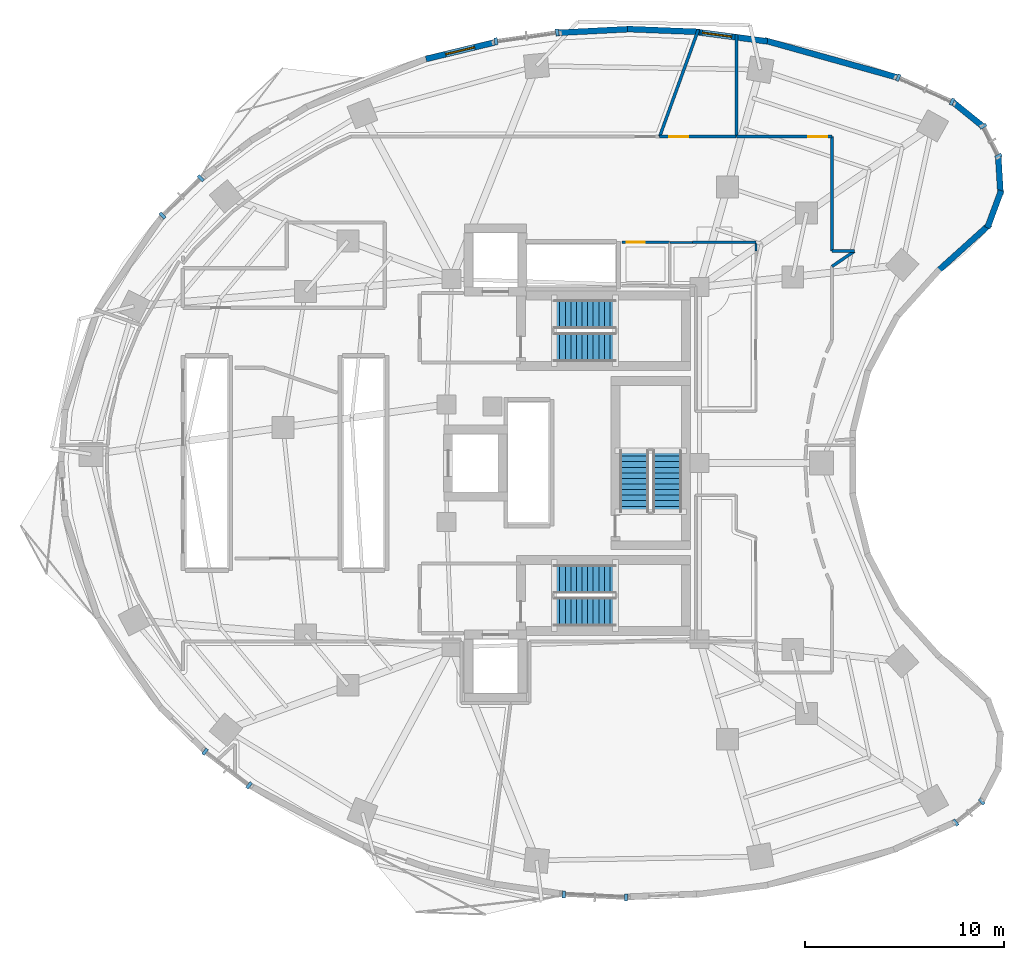
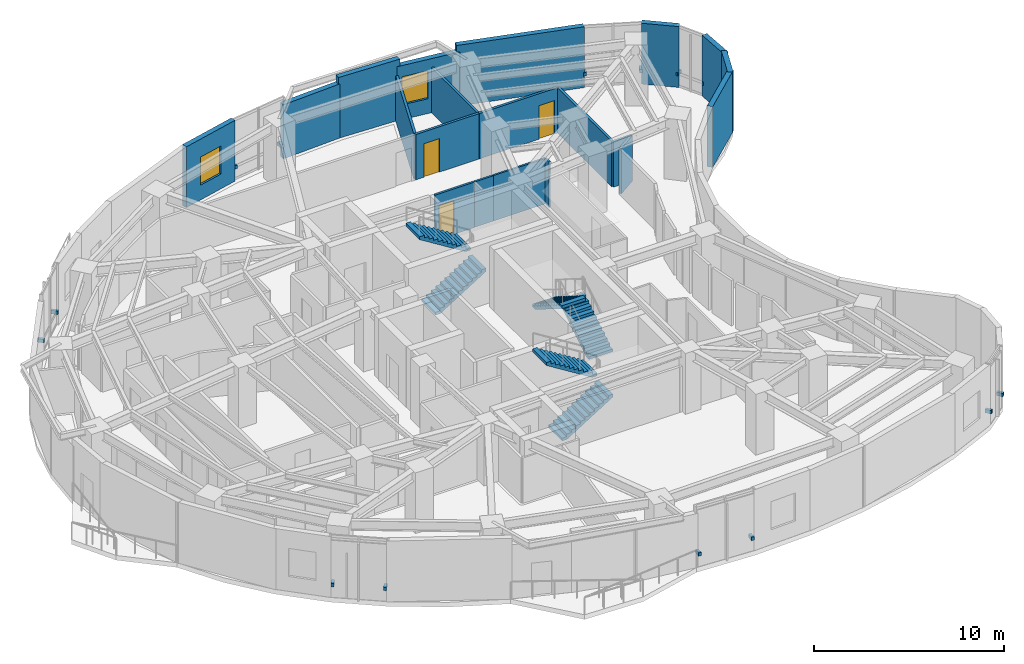
# One storey, part 10 of 13: 20 walls, 14 discrete accessories, 6 stair flights, 3 doors, 2 windows, 5 openings, 3 elements without a shape of their own.
"""IFC4 building model written with IfcOpenShell, lengths in metres."""

from ifc_helpers import new_model, si_unit, direction, frame, frame_2d, origin, origin_2d, place, context, subcontext, project, spatial, polyline, rectangle, outline, extrude, material, layer, layer_set, type_object, element, fill, aggregate, save


model = new_model("IFC4")

# Units and contexts
model_context = context("Model", 3, precision=1e-05, world=origin(), true_north=direction((0.0, 1.0)))
body_context = subcontext(model_context, "Body", "Model", "MODEL_VIEW")
ifc_project = project(units=[si_unit("LENGTHUNIT", "METRE"), si_unit("AREAUNIT", "SQUARE_METRE"), si_unit("VOLUMEUNIT", "CUBIC_METRE"), si_unit("PLANEANGLEUNIT", "RADIAN"), si_unit("MASSUNIT", "GRAM", prefix="KILO")], contexts=[model_context])

# Site, building, storey
site_placement = place(None, origin())
site = spatial("IfcSite", under=ifc_project, at=site_placement, CompositionType="ELEMENT")
building_placement = place(site_placement, origin())
building = spatial("IfcBuilding", under=site, at=building_placement, Name="Korentha Bioscience Tower", CompositionType="ELEMENT")
storey_placement = place(building_placement, frame((0.0, 0.0, 123.60009765625)))
storey = spatial("IfcBuildingStorey", under=building, at=storey_placement, Name="L28", CompositionType="ELEMENT", Elevation=123.60009765625)

# Wall, opening, door
ifc_material_1 = material(Name="Double-Stud Acoustic Gypsum", Category="gypsum")
ifc_layer_1 = layer(ifc_material_1, 0.14990234375, Name="Double-Stud Acoustic Gypsum")
ifc_layer_set_1 = layer_set([ifc_layer_1], Name="Double-Stud Acoustic Gypsum (IW-L150)")
wall_type_1 = type_object("IfcWallType", Name="Acoustic Laboratory Partition Wall 150", PredefinedType="PARTITIONING", material=ifc_layer_set_1)
wall_1_placement = place(storey_placement, frame((44.199951171875, 43.409912109375, 0.0), z_axis=(0.0, 0.0, 1.0), x_axis=(-1.0, 0.0, 0.0)))
wall_1 = element("IfcWall", 1, at=wall_1_placement, inside=storey, type_object=wall_type_1, Name="L28 Visiting Faculty Study Office 05 Entrance Wall", PredefinedType="PARTITIONING", context=body_context, shape_type="SweptSolid", body=[
    extrude(rectangle(XDim=4.7978515625, YDim=0.14990234375, at=frame_2d((2.39892578125, 0.0))), origin(), (0.0, 0.0, 1.0), 2.909912109375),
])
opening_1_placement = place(wall_1_placement, frame((0.239990234375, 0.0, 0.0)))
opening_1 = element("IfcOpeningElement", 2, at=opening_1_placement, cuts=wall_1, Name="Opening ID-10R", PredefinedType="OPENING", context=body_context, shape_type="SweptSolid", body=[
    extrude(rectangle(XDim=0.949951171875, YDim=2.14990234375, at=frame_2d((0.47509765625, 1.074951171875))), frame((0.0, 0.08984375, 0.0), z_axis=(0.0, -1.0, 0.0), x_axis=(1.0, 0.0, 0.0)), (0.0, 0.0, 1.0), 0.1796875),
])
ifc_material_2 = material(Name="Phenolic Laminate Timber Core", Category="wood")
door_type_1 = type_object("IfcDoorType", Name="Laboratory Single Leaf Door 950x2150 Right", OperationType="SINGLE_SWING_RIGHT", PredefinedType="DOOR", material=ifc_material_2)
door_1_placement = place(opening_1_placement, origin())
door_1 = element("IfcDoor", 3, at=door_1_placement, inside=storey, type_object=door_type_1, Name="L28 Visiting Faculty Study Office 05 Door", OperationType="SINGLE_SWING_RIGHT", OverallHeight=2.14990234375, OverallWidth=0.949951171875, PredefinedType="DOOR", context=body_context, shape_type="SweptSolid", body=[
    extrude(rectangle(XDim=0.949951171875, YDim=2.14990234375, at=frame_2d((0.47509765625, 1.074951171875))), frame((0.0, 0.02490234375, 0.0), z_axis=(0.0, -1.0, 0.0), x_axis=(1.0, 0.0, 0.0)), (0.0, 0.0, 1.0), 0.050048828125),
])
fill(opening_1, door_1)

wall_2_placement = place(storey_placement, frame((39.39208984375, 43.409912109375, 0.0), z_axis=(0.0, 0.0, 1.0), x_axis=(-1.0, 0.0, 0.0)))
wall_2 = element("IfcWall", 4, at=wall_2_placement, inside=storey, type_object=wall_type_1, Name="L28 Ethics and Biosafety Briefing Room 07 Entrance Wall", PredefinedType="PARTITIONING", context=body_context, shape_type="SweptSolid", body=[
    extrude(rectangle(XDim=3.841796875, YDim=0.14990234375, at=frame_2d((1.9208984375, 0.0))), origin(), (0.0, 0.0, 1.0), 2.909912109375),
])
opening_2_placement = place(wall_2_placement, frame((2.402099609375, 0.0, 0.0)))
opening_2 = element("IfcOpeningElement", 5, at=opening_2_placement, cuts=wall_2, Name="Opening ID-10R", PredefinedType="OPENING", context=body_context, shape_type="SweptSolid", body=[
    extrude(rectangle(XDim=0.949951171875, YDim=2.14990234375, at=frame_2d((0.47509765625, 1.074951171875))), frame((0.0, 0.08984375, 0.0), z_axis=(0.0, -1.0, 0.0), x_axis=(1.0, 0.0, 0.0)), (0.0, 0.0, 1.0), 0.1796875),
])
door_2_placement = place(opening_2_placement, origin())
door_2 = element("IfcDoor", 6, at=door_2_placement, inside=storey, type_object=door_type_1, Name="L28 Ethics and Biosafety Briefing Room 07 Door", OperationType="SINGLE_SWING_RIGHT", OverallHeight=2.14990234375, OverallWidth=0.949951171875, PredefinedType="DOOR", context=body_context, shape_type="SweptSolid", body=[
    extrude(rectangle(XDim=0.949951171875, YDim=2.14990234375, at=frame_2d((0.47509765625, 1.074951171875))), frame((0.0, 0.02490234375, 0.0), z_axis=(0.0, -1.0, 0.0), x_axis=(1.0, 0.0, 0.0)), (0.0, 0.0, 1.0), 0.050048828125),
])
fill(opening_2, door_2)

# Walls
wall_3_placement = place(storey_placement, frame((44.2099609375, 36.884033203125, 0.0), z_axis=(0.0, 0.0, 1.0), x_axis=(0.828042645571, 0.560665120295, 0.0)))
element("IfcWall", 7, at=wall_3_placement, inside=storey, type_object=wall_type_1, Name="L28 Interior Partition 054", PredefinedType="PARTITIONING", context=body_context, shape_type="SweptSolid", body=[
    extrude(rectangle(XDim=1.35693359375, YDim=0.14990234375, at=frame_2d((0.678466796875, 0.0))), origin(), (0.0, 0.0, 1.0), 2.909912109375),
])
wall_4_placement = place(storey_placement, frame((45.331298828125, 37.652099609375, 0.0), z_axis=(0.0, 0.0, 1.0), x_axis=(-1.0, 0.0, 0.0)))
element("IfcWall", 8, at=wall_4_placement, inside=storey, type_object=wall_type_1, Name="L28 Interior Partition 055", PredefinedType="PARTITIONING", context=body_context, shape_type="SweptSolid", body=[
    extrude(rectangle(XDim=1.121337890625, YDim=0.14990234375, at=frame_2d((0.560546875, 0.0))), origin(), (0.0, 0.0, 1.0), 2.909912109375),
])
wall_5_placement = place(storey_placement, frame((44.2099609375, 37.652099609375, 0.0), z_axis=(0.0, 0.0, 1.0), x_axis=(0.0, 1.0, 0.0)))
element("IfcWall", 9, at=wall_5_placement, inside=storey, type_object=wall_type_1, Name="L28 Interior Partition 056", PredefinedType="PARTITIONING", context=body_context, shape_type="SweptSolid", body=[
    extrude(rectangle(XDim=5.747802734375, YDim=0.14990234375, at=frame_2d((2.8740234375, 0.0))), origin(), (0.0, 0.0, 1.0), 2.909912109375),
])
wall_6_placement = place(storey_placement, frame((39.402099609375, 43.409912109375, 0.0), z_axis=(0.0, 0.0, 1.0), x_axis=(0.0, 1.0, 0.0)))
element("IfcWall", 10, at=wall_6_placement, inside=storey, type_object=wall_type_1, Name="L28 Interior Partition 057", PredefinedType="PARTITIONING", context=body_context, shape_type="SweptSolid", body=[
    extrude(rectangle(XDim=5.12548828125, YDim=0.14990234375, at=frame_2d((2.562744140625, 0.0))), origin(), (0.0, 0.0, 1.0), 2.909912109375),
])
wall_7_placement = place(storey_placement, frame((35.55029296875, 43.409912109375, 0.0), z_axis=(0.0, 0.0, 1.0), x_axis=(0.340351757169, 0.940298187487, 0.0)))
element("IfcWall", 11, at=wall_7_placement, inside=storey, type_object=wall_type_1, Name="L28 Interior Partition 067", PredefinedType="PARTITIONING", context=body_context, shape_type="SweptSolid", body=[
    extrude(rectangle(XDim=5.707763671875, YDim=0.14990234375, at=frame_2d((2.85400390625, 0.0))), origin(), (0.0, 0.0, 1.0), 2.909912109375),
])
ifc_material_3 = material(Name="Fire-Rated Framed Glass", Category="glass")
ifc_layer_2 = layer(ifc_material_3, 0.110107421875, Name="Fire-Rated Framed Glass")
ifc_layer_set_2 = layer_set([ifc_layer_2], Name="Fire-Rated Framed Glass (IW-G110)")
wall_type_2 = type_object("IfcWallType", Name="Demountable Glazed Office Partition 110", PredefinedType="MOVABLE", material=ifc_layer_set_2)
wall_8_placement = place(storey_placement, frame((36.06005859375, 38.090087890625, 0.0), z_axis=(0.0, 0.0, 1.0), x_axis=(1.0, 0.0, 0.0)))
element("IfcWall", 12, at=wall_8_placement, inside=storey, type_object=wall_type_2, Name="L28 Interior Partition 063", PredefinedType="MOVABLE", context=body_context, shape_type="SweptSolid", body=[
    extrude(rectangle(XDim=1.139892578125, YDim=0.110107421875, at=frame_2d((0.56982421875, 0.0))), origin(), (0.0, 0.0, 1.0), 2.909912109375),
])
wall_9_placement = place(storey_placement, frame((37.2099609375, 38.10009765625, 0.0), z_axis=(0.0, 0.0, 1.0), x_axis=(1.0, 0.0, 0.0)))
element("IfcWall", 13, at=wall_9_placement, inside=storey, type_object=wall_type_2, Name="L28 Interior Partition 065", PredefinedType="MOVABLE", context=body_context, shape_type="SweptSolid", body=[
    extrude(rectangle(XDim=3.176025390625, YDim=0.110107421875, at=frame_2d((1.587890625, 0.0))), origin(), (0.0, 0.0, 1.0), 2.909912109375),
])
wall_10_placement = place(storey_placement, frame((40.385986328125, 38.0419921875, 0.0), z_axis=(0.0, 0.0, 1.0), x_axis=(0.0, -1.0, 0.0)))
element("IfcWall", 14, at=wall_10_placement, inside=storey, type_object=wall_type_2, Name="L28 Interior Partition 066", PredefinedType="MOVABLE", context=body_context, shape_type="SweptSolid", body=[
    extrude(rectangle(XDim=0.389892578125, YDim=0.110107421875, at=frame_2d((0.19482421875, 0.0))), origin(), (0.0, 0.0, 1.0), 2.909912109375),
])

# Wall, opening, window
ifc_material_4 = material(Name="Honed Limestone Precast Concrete C40", Category="masonry")
ifc_layer_3 = layer(ifc_material_4, 0.300048828125, Name="Honed Limestone Precast Concrete C40")
ifc_layer_set_3 = layer_set([ifc_layer_3], Name="Honed Limestone Precast Concrete C40 (EW-ST300)")
wall_type_3 = type_object("IfcWallType", Name="Honed Limestone Cavity Spandrel Wall 300", PredefinedType="STANDARD", material=ifc_layer_set_3)
wall_11_placement = place(storey_placement, frame((40.964111328125, 48.18994140625, 0.0), z_axis=(0.0, 0.0, 1.0), x_axis=(-0.991369257822, 0.131099178664, 0.0)))
wall_11 = element("IfcWall", 15, at=wall_11_placement, inside=storey, type_object=wall_type_3, Name="L28 Honed Limestone Spandrel Wall 04", PredefinedType="STANDARD", context=body_context, shape_type="SweptSolid", body=[
    extrude(rectangle(XDim=3.575439453125, YDim=0.300048828125, at=frame_2d((1.78759765625, 0.0))), origin(), (0.0, 0.0, 1.0), 3.469970703125),
])
opening_3_placement = place(wall_11_placement, frame((1.8076171875, 0.0, 0.949951171875)))
opening_3 = element("IfcOpeningElement", 16, at=opening_3_placement, cuts=wall_11, Name="Opening WN-02", PredefinedType="OPENING", context=body_context, shape_type="SweptSolid", body=[
    extrude(rectangle(XDim=1.5, YDim=1.800048828125, at=frame_2d((0.75, 0.89990234375))), frame((0.0, 0.1650390625, 0.0), z_axis=(0.0, -1.0, 0.0), x_axis=(1.0, 0.0, 0.0)), (0.0, 0.0, 1.0), 0.329833984375),
])
ifc_material_5 = material(Name="Thermally Broken Aluminium Triple Glazing", Category="aluminium")
window_type = type_object("IfcWindowType", Name="Acoustic Operable Office Window 1500x1800", PartitioningType="DOUBLE_PANEL_VERTICAL", PredefinedType="WINDOW", material=ifc_material_5)
window_1_placement = place(opening_3_placement, origin())
window_1 = element("IfcWindow", 17, at=window_1_placement, inside=storey, type_object=window_type, Name="L28 Facade Window 04", OverallHeight=1.800048828125, OverallWidth=1.5, PartitioningType="DOUBLE_PANEL_VERTICAL", PredefinedType="WINDOW", context=body_context, shape_type="SweptSolid", body=[
    extrude(rectangle(XDim=1.5, YDim=1.800048828125, at=frame_2d((0.75, 0.89990234375))), frame((0.0, 0.030029296875, 0.0), z_axis=(0.0, -1.0, 0.0), x_axis=(1.0, 0.0, 0.0)), (0.0, 0.0, 1.0), 0.06005859375),
])
fill(opening_3, window_1)

wall_12_placement = place(storey_placement, frame((27.23828125, 48.1337890625, 0.0), z_axis=(0.0, 0.0, 1.0), x_axis=(-0.972049000874, -0.234778065203, 0.0)))
wall_12 = element("IfcWall", 18, at=wall_12_placement, inside=storey, type_object=wall_type_3, Name="L28 Honed Limestone Spandrel Wall 08", PredefinedType="STANDARD", context=body_context, shape_type="SweptSolid", body=[
    extrude(rectangle(XDim=3.5283203125, YDim=0.300048828125, at=frame_2d((1.76416015625, 0.0))), origin(), (0.0, 0.0, 1.0), 3.89990234375),
])
opening_4_placement = place(wall_12_placement, frame((1.014404296875, 0.0, 0.949951171875)))
opening_4 = element("IfcOpeningElement", 19, at=opening_4_placement, cuts=wall_12, Name="Opening WN-02", PredefinedType="OPENING", context=body_context, shape_type="SweptSolid", body=[
    extrude(rectangle(XDim=1.5, YDim=1.800048828125, at=frame_2d((0.75, 0.89990234375))), frame((0.0, 0.1650390625, 0.0), z_axis=(0.0, -1.0, 0.0), x_axis=(1.0, 0.0, 0.0)), (0.0, 0.0, 1.0), 0.329833984375),
])
window_2_placement = place(opening_4_placement, origin())
window_2 = element("IfcWindow", 20, at=window_2_placement, inside=storey, type_object=window_type, Name="L28 Facade Window 08", OverallHeight=1.800048828125, OverallWidth=1.5, PartitioningType="DOUBLE_PANEL_VERTICAL", PredefinedType="WINDOW", context=body_context, shape_type="SweptSolid", body=[
    extrude(rectangle(XDim=1.5, YDim=1.800048828125, at=frame_2d((0.75, 0.89990234375))), frame((0.0, 0.030029296875, 0.0), z_axis=(0.0, -1.0, 0.0), x_axis=(1.0, 0.0, 0.0)), (0.0, 0.0, 1.0), 0.06005859375),
])
fill(opening_4, window_2)

# Walls
wall_13_placement = place(storey_placement, frame((47.47900390625, 46.380126953125, 0.0), z_axis=(0.0, 0.0, 1.0), x_axis=(-0.963116215402, 0.269085777459, 0.0)))
element("IfcWall", 21, at=wall_13_placement, inside=storey, type_object=wall_type_3, Name="L28 Limestone Perimeter Closure Wall 02", PredefinedType="STANDARD", context=body_context, shape_type="SweptSolid", body=[
    extrude(rectangle(XDim=6.923583984375, YDim=0.300048828125, at=frame_2d((3.4619140625, 0.0))), origin(), (0.0, 0.0, 1.0), 3.89990234375),
])
wall_14_placement = place(storey_placement, frame((37.574462890625, 48.666259765625, 0.0), z_axis=(0.0, 0.0, 1.0), x_axis=(-0.999212076676, 0.039689114679, 0.0)))
element("IfcWall", 22, at=wall_14_placement, inside=storey, type_object=wall_type_3, Name="L28 Limestone Perimeter Closure Wall 05", PredefinedType="STANDARD", context=body_context, shape_type="SweptSolid", body=[
    extrude(rectangle(XDim=3.635498046875, YDim=0.300048828125, at=frame_2d((1.81787109375, 0.0))), origin(), (0.0, 0.0, 1.0), 3.89990234375),
])
wall_15_placement = place(storey_placement, frame((34.114501953125, 48.8115234375, 0.0), z_axis=(0.0, 0.0, 1.0), x_axis=(-0.998674767218, -0.051465613004, 0.0)))
element("IfcWall", 23, at=wall_15_placement, inside=storey, type_object=wall_type_3, Name="L28 Limestone Perimeter Closure Wall 06", PredefinedType="STANDARD", context=body_context, shape_type="SweptSolid", body=[
    extrude(rectangle(XDim=3.6337890625, YDim=0.300048828125, at=frame_2d((1.81689453125, 0.0))), origin(), (0.0, 0.0, 1.0), 3.469970703125),
])
wall_16_placement = place(storey_placement, frame((49.51318359375, 36.6357421875, 0.0), z_axis=(0.0, 0.0, 1.0), x_axis=(0.74255963233, 0.669779958221, 0.0)))
element("IfcWall", 24, at=wall_16_placement, inside=storey, type_object=wall_type_3, Name="L28 Limestone Perimeter Closure Wall 57", PredefinedType="STANDARD", context=body_context, shape_type="SweptSolid", body=[
    extrude(rectangle(XDim=3.5390625, YDim=0.300048828125, at=frame_2d((1.76953125, 0.0))), origin(), (0.0, 0.0, 1.0), 3.89990234375),
])
wall_17_placement = place(storey_placement, frame((52.016357421875, 38.822265625, 0.0), z_axis=(0.0, 0.0, 1.0), x_axis=(0.347370087337, 0.937728117539, 0.0)))
element("IfcWall", 25, at=wall_17_placement, inside=storey, type_object=wall_type_3, Name="L28 Limestone Perimeter Closure Wall 59", PredefinedType="STANDARD", context=body_context, shape_type="SweptSolid", body=[
    extrude(rectangle(XDim=1.997314453125, YDim=0.300048828125, at=frame_2d((0.99853515625, 0.0))), origin(), (0.0, 0.0, 1.0), 3.89990234375),
])
for number, where, z_axis, x_axis, name in (
    (26, (52.678955078125, 40.4833984375, 0.0), (0.0, 0.0, 1.0), (-0.060255200356, 0.998183004679, 0.0), "L28 Limestone Perimeter Closure Wall 60"),
    (27, (51.83642578125, 43.880615234375, 0.0), (0.0, 0.0, 1.0), (-0.777338789647, 0.629082193445, 0.0), "L28 Limestone Perimeter Closure Wall 62"),
):
    element("IfcWall", number, at=place(storey_placement, frame(where, z_axis=z_axis, x_axis=x_axis)), inside=storey, type_object=wall_type_3, Name=name, PredefinedType="STANDARD", context=body_context, shape_type="SweptSolid", body=[
        extrude(rectangle(XDim=1.99755859375, YDim=0.300048828125, at=frame_2d((0.998779296875, 0.0))), origin(), (0.0, 0.0, 1.0), 3.89990234375),
    ])

# Wall, opening, door
ifc_material_6 = material(Name="Cement-Board Steel Stud", Category="steel")
ifc_layer_4 = layer(ifc_material_6, 0.1298828125, Name="Cement-Board Steel Stud")
ifc_layer_set_4 = layer_set([ifc_layer_4], Name="Cement-Board Steel Stud (IW-W130)")
wall_type_4 = type_object("IfcWallType", Name="Wet-Area Moisture-Resistant Partition 130", PredefinedType="PARTITIONING", material=ifc_layer_set_4)
wall_18_placement = place(storey_placement, frame((33.64990234375, 38.090087890625, 0.0), z_axis=(0.0, 0.0, 1.0), x_axis=(1.0, 0.0, 0.0)))
wall_18 = element("IfcWall", 28, at=wall_18_placement, inside=storey, type_object=wall_type_4, Name="L28 Accessible Staff WC Entrance Wall", PredefinedType="PARTITIONING", context=body_context, shape_type="SweptSolid", body=[
    extrude(rectangle(XDim=2.400146484375, YDim=0.1298828125, at=frame_2d((1.2001953125, 0.0))), origin(), (0.0, 0.0, 1.0), 2.909912109375),
])
opening_5_placement = place(wall_18_placement, frame((0.239990234375, 0.0, 0.0)))
opening_5 = element("IfcOpeningElement", 29, at=opening_5_placement, cuts=wall_18, Name="Opening ID-09L", PredefinedType="OPENING", context=body_context, shape_type="SweptSolid", body=[
    extrude(rectangle(XDim=0.89990234375, YDim=2.14990234375, at=frame_2d((0.449951171875, 1.074951171875))), frame((0.0, 0.079833984375, 0.0), z_axis=(0.0, -1.0, 0.0), x_axis=(1.0, 0.0, 0.0)), (0.0, 0.0, 1.0), 0.15966796875),
])
ifc_material_7 = material(Name="Moisture-Resistant HPL Leaf", Category="wood")
door_type_2 = type_object("IfcDoorType", Name="Restroom & Accessible WC Door 900x2150 Left", OperationType="SINGLE_SWING_LEFT", PredefinedType="DOOR", material=ifc_material_7)
door_3_placement = place(opening_5_placement, origin())
door_3 = element("IfcDoor", 30, at=door_3_placement, inside=storey, type_object=door_type_2, Name="L28 Accessible Staff WC Door", OperationType="SINGLE_SWING_LEFT", OverallHeight=2.14990234375, OverallWidth=0.89990234375, PredefinedType="DOOR", context=body_context, shape_type="SweptSolid", body=[
    extrude(rectangle(XDim=0.89990234375, YDim=2.14990234375, at=frame_2d((0.449951171875, 1.074951171875))), frame((0.0, 0.02490234375, 0.0), z_axis=(0.0, -1.0, 0.0), x_axis=(1.0, 0.0, 0.0)), (0.0, 0.0, 1.0), 0.050048828125),
])
fill(opening_5, door_3)

# Stair, stair flights
ifc_material_8 = material(Name="Precast Concrete C50", Category="concrete")
stair_type = type_object("IfcStairType", Name="Core Exit Dog-Leg Stair 1450", PredefinedType="HALF_TURN_STAIR", material=ifc_material_8)
stair_1_placement = place(storey_placement, origin())
stair_1 = element("IfcStair", 31, at=stair_1_placement, inside=storey, type_object=stair_type, Name="L28 Tower North Pressurized Exit Stair ST-1", PredefinedType="HALF_TURN_STAIR")
stair_flight_type = type_object("IfcStairFlightType", Name="Core Exit Dog-Leg Stair 1450 Flight", PredefinedType="STRAIGHT", material=ifc_material_8)
stair_flight_1_placement = place(storey_placement, frame((30.25, 32.824951171875, 0.0), z_axis=(0.0, 0.0, 1.0), x_axis=(1.0, 0.0, 0.0)))
stair_flight_1 = element("IfcStairFlight", 32, at=stair_flight_1_placement, type_object=stair_flight_type, Name="ST-1 flight 1", NumberOfRisers=12, NumberOfTreads=11, PredefinedType="STRAIGHT", RiserHeight=0.175, TreadLength=0.28, context=body_context, shape_type="SweptSolid", body=[
    extrude(outline(polyline([(0.0, 0.0), (0.0, 0.175048828125), (0.280029296875, 0.175048828125), (0.280029296875, 0.35009765625), (0.56005859375, 0.35009765625), (0.56005859375, 0.52490234375), (0.840087890625, 0.52490234375), (0.840087890625, 0.699951171875), (1.1201171875, 0.699951171875), (1.1201171875, 0.875), (1.39990234375, 0.875), (1.39990234375, 1.050048828125), (1.679931640625, 1.050048828125), (1.679931640625, 1.22509765625), (1.9599609375, 1.22509765625), (1.9599609375, 1.39990234375), (2.239990234375, 1.39990234375), (2.239990234375, 1.574951171875), (2.52001953125, 1.574951171875), (2.52001953125, 1.75), (2.800048828125, 1.75), (2.800048828125, 1.925048828125), (3.080078125, 1.925048828125), (3.080078125, 2.10009765625), (3.080078125, 1.736328125), (0.3017578125, 0.0), (0.0, 0.0)])), frame((0.0, 0.72509765625, 0.0), z_axis=(0.0, -1.0, 0.0), x_axis=(1.0, 0.0, 0.0)), (0.0, 0.0, 1.0), 1.449951171875),
])
stair_flight_2_placement = place(storey_placement, frame((33.330078125, 34.47509765625, 2.099853515625), z_axis=(0.0, 0.0, 1.0), x_axis=(-1.0, 0.0, 0.0)))
stair_flight_2 = element("IfcStairFlight", 33, at=stair_flight_2_placement, type_object=stair_flight_type, Name="ST-1 flight 2", NumberOfRisers=12, NumberOfTreads=11, PredefinedType="STRAIGHT", RiserHeight=0.175, TreadLength=0.28, context=body_context, shape_type="SweptSolid", body=[
    extrude(outline(polyline([(0.0, 0.0), (0.0, 0.175048828125), (0.280029296875, 0.175048828125), (0.280029296875, 0.35009765625), (0.56005859375, 0.35009765625), (0.56005859375, 0.52490234375), (0.840087890625, 0.52490234375), (0.840087890625, 0.699951171875), (1.1201171875, 0.699951171875), (1.1201171875, 0.875), (1.39990234375, 0.875), (1.39990234375, 1.050048828125), (1.679931640625, 1.050048828125), (1.679931640625, 1.22509765625), (1.9599609375, 1.22509765625), (1.9599609375, 1.39990234375), (2.239990234375, 1.39990234375), (2.239990234375, 1.574951171875), (2.52001953125, 1.574951171875), (2.52001953125, 1.75), (2.800048828125, 1.75), (2.800048828125, 1.925048828125), (3.080078125, 1.925048828125), (3.080078125, 2.10009765625), (3.080078125, 1.736328125), (0.3017578125, 0.0), (0.0, 0.0)])), frame((0.0, 0.72509765625, 0.0), z_axis=(0.0, -1.0, 0.0), x_axis=(1.0, 0.0, 0.0)), (0.0, 0.0, 1.0), 1.449951171875),
])
aggregate(stair_1, [stair_flight_1, stair_flight_2])

stair_2_placement = place(storey_placement, origin())
stair_2 = element("IfcStair", 34, at=stair_2_placement, inside=storey, type_object=stair_type, Name="L28 Tower South Pressurized Exit Stair ST-2", PredefinedType="HALF_TURN_STAIR")
stair_flight_3_placement = place(storey_placement, frame((30.25, 19.52490234375, 0.0), z_axis=(0.0, 0.0, 1.0), x_axis=(1.0, 0.0, 0.0)))
stair_flight_3 = element("IfcStairFlight", 35, at=stair_flight_3_placement, type_object=stair_flight_type, Name="ST-2 flight 1", NumberOfRisers=12, NumberOfTreads=11, PredefinedType="STRAIGHT", RiserHeight=0.175, TreadLength=0.28, context=body_context, shape_type="SweptSolid", body=[
    extrude(outline(polyline([(0.0, 0.0), (0.0, 0.175048828125), (0.280029296875, 0.175048828125), (0.280029296875, 0.35009765625), (0.56005859375, 0.35009765625), (0.56005859375, 0.52490234375), (0.840087890625, 0.52490234375), (0.840087890625, 0.699951171875), (1.1201171875, 0.699951171875), (1.1201171875, 0.875), (1.39990234375, 0.875), (1.39990234375, 1.050048828125), (1.679931640625, 1.050048828125), (1.679931640625, 1.22509765625), (1.9599609375, 1.22509765625), (1.9599609375, 1.39990234375), (2.239990234375, 1.39990234375), (2.239990234375, 1.574951171875), (2.52001953125, 1.574951171875), (2.52001953125, 1.75), (2.800048828125, 1.75), (2.800048828125, 1.925048828125), (3.080078125, 1.925048828125), (3.080078125, 2.10009765625), (3.080078125, 1.736328125), (0.3017578125, 0.0), (0.0, 0.0)])), frame((0.0, 0.72509765625, 0.0), z_axis=(0.0, -1.0, 0.0), x_axis=(1.0, 0.0, 0.0)), (0.0, 0.0, 1.0), 1.449951171875),
])
stair_flight_4_placement = place(storey_placement, frame((33.330078125, 21.175048828125, 2.099853515625), z_axis=(0.0, 0.0, 1.0), x_axis=(-1.0, 0.0, 0.0)))
stair_flight_4 = element("IfcStairFlight", 36, at=stair_flight_4_placement, type_object=stair_flight_type, Name="ST-2 flight 2", NumberOfRisers=12, NumberOfTreads=11, PredefinedType="STRAIGHT", RiserHeight=0.175, TreadLength=0.28, context=body_context, shape_type="SweptSolid", body=[
    extrude(outline(polyline([(0.0, 0.0), (0.0, 0.175048828125), (0.280029296875, 0.175048828125), (0.280029296875, 0.35009765625), (0.56005859375, 0.35009765625), (0.56005859375, 0.52490234375), (0.840087890625, 0.52490234375), (0.840087890625, 0.699951171875), (1.1201171875, 0.699951171875), (1.1201171875, 0.875), (1.39990234375, 0.875), (1.39990234375, 1.050048828125), (1.679931640625, 1.050048828125), (1.679931640625, 1.22509765625), (1.9599609375, 1.22509765625), (1.9599609375, 1.39990234375), (2.239990234375, 1.39990234375), (2.239990234375, 1.574951171875), (2.52001953125, 1.574951171875), (2.52001953125, 1.75), (2.800048828125, 1.75), (2.800048828125, 1.925048828125), (3.080078125, 1.925048828125), (3.080078125, 2.10009765625), (3.080078125, 1.736328125), (0.3017578125, 0.0), (0.0, 0.0)])), frame((0.0, 0.72509765625, 0.0), z_axis=(0.0, -1.0, 0.0), x_axis=(1.0, 0.0, 0.0)), (0.0, 0.0, 1.0), 1.449951171875),
])
aggregate(stair_2, [stair_flight_3, stair_flight_4])

stair_3_placement = place(storey_placement, origin())
stair_3 = element("IfcStair", 37, at=stair_3_placement, inside=storey, type_object=stair_type, Name="L28 Tower Central Pressurized Exit Stair ST-3", PredefinedType="HALF_TURN_STAIR")
stair_flight_5_placement = place(storey_placement, frame((35.925048828125, 24.550048828125, 0.0), z_axis=(0.0, 0.0, 1.0), x_axis=(0.0, 1.0, 0.0)))
stair_flight_5 = element("IfcStairFlight", 38, at=stair_flight_5_placement, type_object=stair_flight_type, Name="ST-3 flight 1", NumberOfRisers=12, NumberOfTreads=11, PredefinedType="STRAIGHT", RiserHeight=0.175, TreadLength=0.28, context=body_context, shape_type="SweptSolid", body=[
    extrude(outline(polyline([(0.0, 0.0), (0.0, 0.175048828125), (0.280029296875, 0.175048828125), (0.280029296875, 0.35009765625), (0.56005859375, 0.35009765625), (0.56005859375, 0.52490234375), (0.840087890625, 0.52490234375), (0.840087890625, 0.699951171875), (1.1201171875, 0.699951171875), (1.1201171875, 0.875), (1.39990234375, 0.875), (1.39990234375, 1.050048828125), (1.679931640625, 1.050048828125), (1.679931640625, 1.22509765625), (1.9599609375, 1.22509765625), (1.9599609375, 1.39990234375), (2.239990234375, 1.39990234375), (2.239990234375, 1.574951171875), (2.52001953125, 1.574951171875), (2.52001953125, 1.75), (2.800048828125, 1.75), (2.800048828125, 1.925048828125), (3.080078125, 1.925048828125), (3.080078125, 2.10009765625), (3.080078125, 1.736328125), (0.3017578125, 0.0), (0.0, 0.0)])), frame((0.0, 0.72509765625, 0.0), z_axis=(0.0, -1.0, 0.0), x_axis=(1.0, 0.0, 0.0)), (0.0, 0.0, 1.0), 1.449951171875),
])
stair_flight_6_placement = place(storey_placement, frame((34.27490234375, 27.6298828125, 2.099853515625), z_axis=(0.0, 0.0, 1.0), x_axis=(0.0, -1.0, 0.0)))
stair_flight_6 = element("IfcStairFlight", 39, at=stair_flight_6_placement, type_object=stair_flight_type, Name="ST-3 flight 2", NumberOfRisers=12, NumberOfTreads=11, PredefinedType="STRAIGHT", RiserHeight=0.175, TreadLength=0.28, context=body_context, shape_type="SweptSolid", body=[
    extrude(outline(polyline([(0.0, 0.0), (0.0, 0.175048828125), (0.280029296875, 0.175048828125), (0.280029296875, 0.35009765625), (0.56005859375, 0.35009765625), (0.56005859375, 0.52490234375), (0.840087890625, 0.52490234375), (0.840087890625, 0.699951171875), (1.1201171875, 0.699951171875), (1.1201171875, 0.875), (1.39990234375, 0.875), (1.39990234375, 1.050048828125), (1.679931640625, 1.050048828125), (1.679931640625, 1.22509765625), (1.9599609375, 1.22509765625), (1.9599609375, 1.39990234375), (2.239990234375, 1.39990234375), (2.239990234375, 1.574951171875), (2.52001953125, 1.574951171875), (2.52001953125, 1.75), (2.800048828125, 1.75), (2.800048828125, 1.925048828125), (3.080078125, 1.925048828125), (3.080078125, 2.10009765625), (3.080078125, 1.736328125), (0.3017578125, 0.0), (0.0, 0.0)])), frame((0.0, 0.72509765625, 0.0), z_axis=(0.0, -1.0, 0.0), x_axis=(1.0, 0.0, 0.0)), (0.0, 0.0, 1.0), 1.449951171875),
])
aggregate(stair_3, [stair_flight_5, stair_flight_6])

# Discrete accessories
ifc_material_9 = material(Name="Stainless Steel 316", Category="steel")
discrete_accessory_type = type_object("IfcDiscreteAccessoryType", Name="Stainless Steel Solar-Screen Outrigger Bracket", PredefinedType="BRACKET", material=ifc_material_9)
for number, where, z_axis, x_axis, name in (
    (40, (50.241455078125, 45.161376953125, 0.73974609375), (0.0, 0.0, 1.0), (-0.912686563127, 0.408660295952, 0.0), "CW-L28-01 Solar-Screen Support Bracket 1"),
    (41, (47.542236328125, 46.3701171875, 0.73974609375), (0.0, 0.0, 1.0), (-0.912686563127, 0.408660295952, 0.0), "CW-L28-01 Solar-Screen Support Bracket 2"),
    (42, (30.40380859375, 48.635009765625, 0.73974609375), (0.0, 0.0, 1.0), (-0.989738282326, -0.14289203091, 0.0), "CW-L28-07 Solar-Screen Support Bracket 1"),
    (43, (27.328369140625, 48.19091796875, 0.73974609375), (0.0, 0.0, 1.0), (-0.989738282326, -0.14289203091, 0.0), "CW-L28-07 Solar-Screen Support Bracket 2"),
    (44, (12.496826171875, 41.316162109375, 0.73974609375), (0.0, 0.0, 1.0), (-0.716095631804, -0.698002182025, 0.0), "CW-L28-13 Solar-Screen Support Bracket 1"),
    (45, (10.5673828125, 39.435302734375, 0.73974609375), (0.0, 0.0, 1.0), (-0.716095631804, -0.698002182025, 0.0), "CW-L28-13 Solar-Screen Support Bracket 2"),
    (46, (12.708740234375, 12.501220703125, 0.73974609375), (0.0, 0.0, 1.0), (0.794499603893, -0.607264669986, 0.0), "CW-L28-25 Solar-Screen Support Bracket 1"),
    (47, (14.920166015625, 10.810791015625, 0.73974609375), (0.0, 0.0, 1.0), (0.794499603893, -0.607264669986, 0.0), "CW-L28-25 Solar-Screen Support Bracket 2"),
    (48, (30.737060546875, 5.33251953125, 0.73974609375), (0.0, 0.0, 1.0), (0.998673231344, -0.051495407527, 0.0), "CW-L28-31 Solar-Screen Support Bracket 1"),
    (49, (33.860107421875, 5.17138671875, 0.73974609375), (0.0, 0.0, 1.0), (0.998673231344, -0.051495407527, 0.0), "CW-L28-31 Solar-Screen Support Bracket 2"),
    (50, (50.423095703125, 8.93701171875, 0.73974609375), (0.0, 0.0, 1.0), (0.777315301098, 0.629111216463, 0.0), "CW-L28-37 Solar-Screen Support Bracket 1"),
    (51, (51.734619140625, 9.998779296875, 0.73974609375), (0.0, 0.0, 1.0), (0.777315301098, 0.629111216463, 0.0), "CW-L28-37 Solar-Screen Support Bracket 2"),
    (52, (52.571044921875, 42.42236328125, 0.73974609375), (0.0, 0.0, 1.0), (-0.457613117169, 0.889151412862, 0.0), "CW-L28-61 Solar-Screen Support Bracket 1"),
    (53, (51.798828125, 43.922607421875, 0.73974609375), (0.0, 0.0, 1.0), (-0.457613117169, 0.889151412862, 0.0), "CW-L28-61 Solar-Screen Support Bracket 2"),
):
    element("IfcDiscreteAccessory", number, at=place(storey_placement, frame(where, z_axis=z_axis, x_axis=x_axis)), inside=storey, type_object=discrete_accessory_type, Name=name, PredefinedType="BRACKET", context=body_context, shape_type="SweptSolid", body=[
        extrude(rectangle(XDim=0.159912109375, YDim=0.360107421875, at=origin_2d()), origin(), (0.0, 0.0, 1.0), 0.219970703125),
    ])

save(model, "model.ifc")
